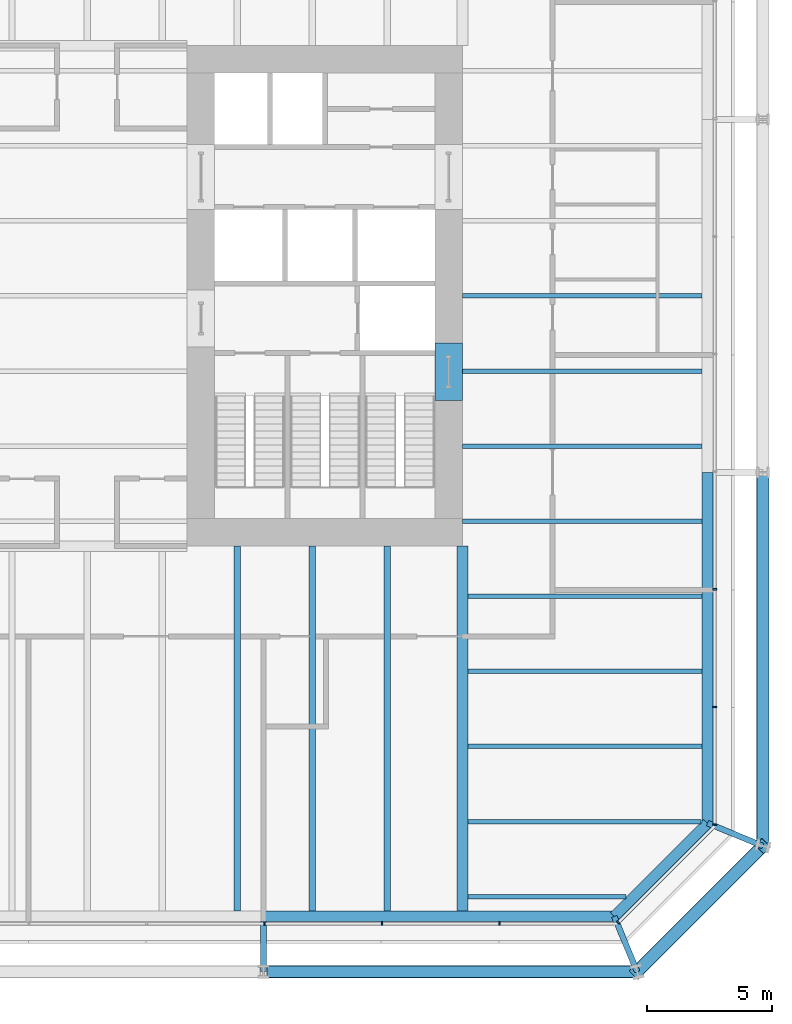
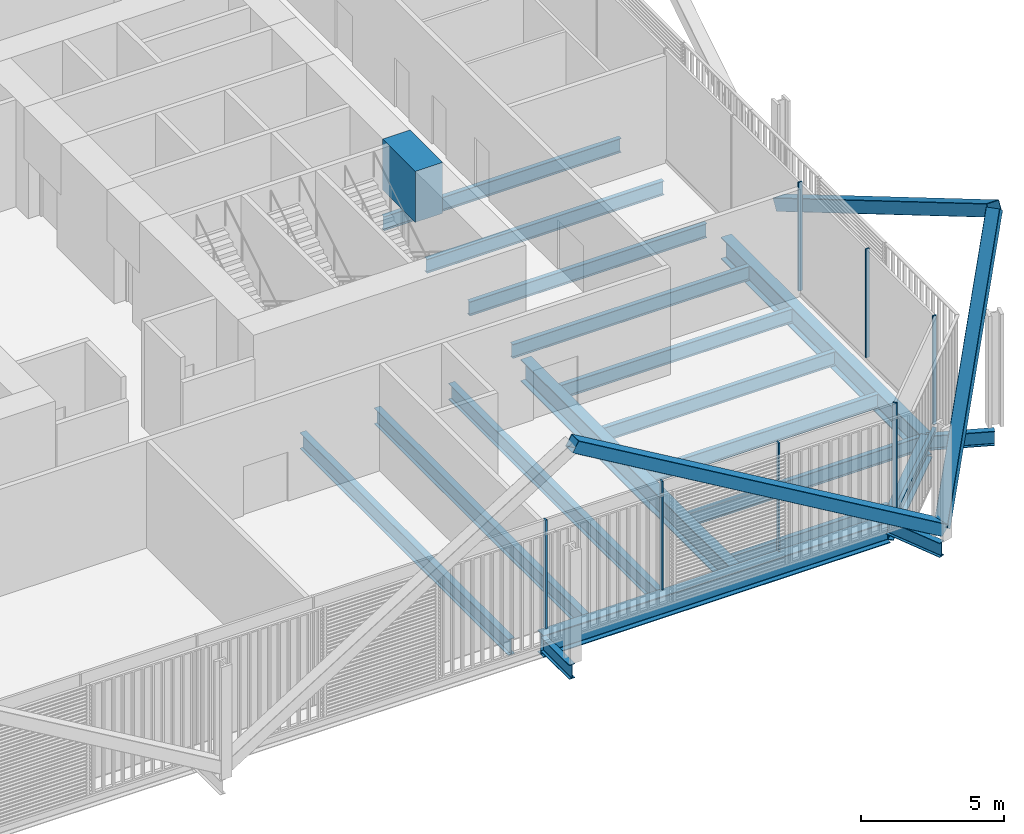
# One storey, part 8 of 22: 20 beams, 11 members, 3 elements without a shape of their own.
"""IFC4 building model written with IfcOpenShell, lengths in metres."""

import ifcopenshell
import ifcopenshell.guid

model = None  # the IFC model being written
_history = None  # IfcOwnerHistory: only IFC2X3 demands one
_inside = {}  # id of a spatial element -> (the spatial element, [elements in it])
_under = {}  # id of a project, library or spatial element -> (it, [spatial elements below it])
_declared = {}  # id of a project -> (the project, [libraries it declares])
_typed = {}  # id of a type object -> (the type object, [elements of that type])
_made_of = {}  # id of a material, layer set ... -> (it, [elements and type objects made of it])


def new_model(schema):
    """Start an empty IFC model of exactly this schema.

    Asked for "IFC4X3", IfcOpenShell would pick the latest addendum, in which some entities
    have other attributes; the version numbers below select the first issue.
    IFC2X3 requires an IfcOwnerHistory on every rooted entity: one is made here for all.
    """
    global model, _history
    if schema == "IFC4X3":
        model = ifcopenshell.file(schema_version=(4, 3, 0, 0))
    else:
        model = ifcopenshell.file(schema=schema)
    _inside.clear()
    _under.clear()
    _declared.clear()
    _typed.clear()
    _made_of.clear()
    _history = None
    if model.schema == "IFC2X3":
        org = make("IfcOrganization", Name="unknown")
        user = make(
            "IfcPersonAndOrganization",
            ThePerson=make("IfcPerson", FamilyName="unknown"),
            TheOrganization=org,
        )
        app = make(
            "IfcApplication",
            ApplicationDeveloper=org,
            Version="unknown",
            ApplicationFullName="unknown",
            ApplicationIdentifier="unknown",
        )
        _history = make(
            "IfcOwnerHistory",
            OwningUser=user,
            OwningApplication=app,
            ChangeAction="ADDED",
            CreationDate=0,
        )
    return model


def make(cls, **values):
    """One entity of the class cls with the attributes given. An attribute that is None is left unset."""
    return model.create_entity(
        cls, **{name: value for name, value in values.items() if value is not None}
    )


def rooted(cls, **values):
    """An entity with a GlobalId (a new one), such as an element, a storey or a relation."""
    return make(cls, GlobalId=ifcopenshell.guid.new(), OwnerHistory=_history, **values)


def si_unit(unit_type, name, prefix=None):
    """IfcSIUnit, for example si_unit("LENGTHUNIT", "METRE", prefix="MILLI")."""
    return make("IfcSIUnit", UnitType=unit_type, Prefix=prefix, Name=name)


def assignment(units):
    """IfcUnitAssignment: the units of a project."""
    return None if units is None else make("IfcUnitAssignment", Units=units)


def point(xyz):
    """IfcCartesianPoint."""
    return None if xyz is None else make("IfcCartesianPoint", Coordinates=xyz)


def direction(xyz):
    """IfcDirection."""
    return None if xyz is None else make("IfcDirection", DirectionRatios=xyz)


def frame(location, z_axis=None, x_axis=None):
    """IfcAxis2Placement3D, a coordinate frame: its origin and axes. An axis left out is left unset."""
    return make(
        "IfcAxis2Placement3D",
        Location=point(location),
        Axis=direction(z_axis),
        RefDirection=direction(x_axis),
    )


def frame_2d(location, x_axis=None):
    """IfcAxis2Placement2D, a coordinate frame in the plane: its origin and x axis."""
    return make(
        "IfcAxis2Placement2D", Location=point(location), RefDirection=direction(x_axis)
    )


def origin():
    """The frame at (0, 0, 0) with its axes left unset."""
    return frame((0.0, 0.0, 0.0))


def origin_2d():
    """The frame at (0, 0) in the plane with its x axis left unset."""
    return frame_2d((0.0, 0.0))


def place(relative_to, where):
    """IfcLocalPlacement: puts the frame where relative to a parent placement (None: the world)."""
    return make(
        "IfcLocalPlacement", PlacementRelTo=relative_to, RelativePlacement=where
    )


def context(
    kind, dimensions, precision=None, world=None, true_north=None, identifier=None
):
    """IfcGeometricRepresentationContext, for example the 3D "Model" context."""
    return make(
        "IfcGeometricRepresentationContext",
        ContextIdentifier=identifier,
        ContextType=kind,
        CoordinateSpaceDimension=dimensions,
        Precision=precision,
        WorldCoordinateSystem=world,
        TrueNorth=true_north,
    )


def subcontext(parent, identifier, kind, view, scale=None):
    """IfcGeometricRepresentationSubContext, for example "Body" below "Model"."""
    return make(
        "IfcGeometricRepresentationSubContext",
        ContextIdentifier=identifier,
        ContextType=kind,
        ParentContext=parent,
        TargetScale=scale,
        TargetView=view,
    )


def project(units=None, contexts=None):
    """IfcProject with its units and contexts."""
    return rooted(
        "IfcProject",
        Name="project",
        RepresentationContexts=contexts,
        UnitsInContext=assignment(units),
    )


def spatial(cls, under=None, at=None, **own):
    """A site, building, storey or space (cls), placed at a placement, below another one or the project."""
    s = rooted(cls, ObjectPlacement=at, **own)
    if under is not None:
        _under.setdefault(under.id(), (under, []))[1].append(s)
    return s


def profile(cls, at=None, kind="AREA", **sizes):
    """A parametric profile (cls). Its sizes go by their IFC names, for example OverallWidth=200.0."""
    return make(cls, ProfileType=kind, Position=at, **sizes)


def rectangle(**sizes):
    """IfcRectangleProfileDef."""
    return profile("IfcRectangleProfileDef", **sizes)


def hollow_rectangle(**sizes):
    """IfcRectangleHollowProfileDef."""
    return profile("IfcRectangleHollowProfileDef", **sizes)


def i_section(**sizes):
    """IfcIShapeProfileDef."""
    return profile("IfcIShapeProfileDef", **sizes)


def extrude(swept, where, along, depth):
    """IfcExtrudedAreaSolid: the profile swept, set in the frame where, extruded along a direction by depth."""
    return make(
        "IfcExtrudedAreaSolid",
        SweptArea=swept,
        Position=where,
        ExtrudedDirection=direction(along),
        Depth=depth,
    )


def shape(context_of_items, identifier, shape_type, items):
    """IfcShapeRepresentation: the items that make up one representation, for example the "Body"."""
    return make(
        "IfcShapeRepresentation",
        ContextOfItems=context_of_items,
        RepresentationIdentifier=identifier,
        RepresentationType=shape_type,
        Items=items,
    )


def material(Name=None, Category=None):
    """IfcMaterial."""
    return make("IfcMaterial", Name=Name, Category=Category)


def layer(
    of_material, thickness, ventilated=None, Name=None, Category=None, Priority=None
):
    """IfcMaterialLayer: one layer of a wall or slab, of a material (None: an air gap)."""
    return make(
        "IfcMaterialLayer",
        Material=of_material,
        LayerThickness=thickness,
        IsVentilated=ventilated,
        Name=Name,
        Category=Category,
        Priority=Priority,
    )


def layer_set(layers, Name=None):
    """IfcMaterialLayerSet."""
    return make("IfcMaterialLayerSet", MaterialLayers=layers, LayerSetName=Name)


def material_profile(
    of_material, cross_section, Name=None, Category=None, Priority=None
):
    """IfcMaterialProfile: a cross section and its material."""
    return make(
        "IfcMaterialProfile",
        Name=Name,
        Material=of_material,
        Profile=cross_section,
        Priority=Priority,
        Category=Category,
    )


def profile_set(profiles, Name=None, composite=None):
    """IfcMaterialProfileSet."""
    return make(
        "IfcMaterialProfileSet",
        Name=Name,
        MaterialProfiles=profiles,
        CompositeProfile=composite,
    )


def made_of(thing, what):
    """Note that an element or type object is made of a material, layer set ...; save() writes the relation."""
    if what is not None:
        _made_of.setdefault(what.id(), (what, []))[1].append(thing)
    return thing


def type_object(cls, material=None, **own):
    """A type object (cls), such as IfcWallType, which elements share."""
    return made_of(rooted(cls, **own), material)


def element(
    cls,
    number,
    at=None,
    inside=None,
    cuts=None,
    type_object=None,
    material=None,
    context=None,
    identifier="Body",
    shape_type=None,
    held_by="IfcProductDefinitionShape",
    body=None,
    shapes=None,
    **own,
):
    """One element of the class cls, such as IfcWall. Its Tag is "e" and its number.

    at: its placement. inside: the storey or other place that contains it. cuts: it is an
    opening in that element (IfcRelVoidsElement). A single representation is given by context,
    identifier, shape_type and body (its items); several are given by shapes. held_by: the class
    of the entity that holds the representations. save() writes the other relations.
    """
    e = rooted(cls, Tag="e%d" % number, ObjectPlacement=at, **own)
    if body is not None:
        shapes = [shape(context, identifier, shape_type, body)]
    if shapes is not None:
        e.Representation = make(held_by, Representations=shapes)
    if inside is not None:
        _inside.setdefault(inside.id(), (inside, []))[1].append(e)
    if cuts is not None:
        rooted(
            "IfcRelVoidsElement", RelatingBuildingElement=cuts, RelatedOpeningElement=e
        )
    if type_object is not None:
        _typed.setdefault(type_object.id(), (type_object, []))[1].append(e)
    return made_of(e, material)


def aggregate(whole, parts):
    """IfcRelAggregates: a whole, such as a stair, and the parts it consists of."""
    return rooted("IfcRelAggregates", RelatingObject=whole, RelatedObjects=parts)


def save(model, path):
    """Write the relations noted so far, then the file.

    IfcRelAggregates (storeys below a building ...), IfcRelContainedInSpatialStructure (elements
    in a storey), IfcRelDefinesByType, IfcRelAssociatesMaterial and IfcRelDeclares: one each for
    every whole, place, type object, material and project.
    """
    for whole, parts in _under.values():
        aggregate(whole, parts)
    for where, things in _inside.values():
        rooted(
            "IfcRelContainedInSpatialStructure",
            RelatedElements=things,
            RelatingStructure=where,
        )
    for kind, things in _typed.values():
        rooted("IfcRelDefinesByType", RelatedObjects=things, RelatingType=kind)
    for what, things in _made_of.values():
        rooted("IfcRelAssociatesMaterial", RelatedObjects=things, RelatingMaterial=what)
    for by, libraries in _declared.values():
        rooted("IfcRelDeclares", RelatingContext=by, RelatedDefinitions=libraries)
    model.write(path)


model = new_model("IFC4")

# Units and contexts
model_context = context("Model", 3, precision=1e-05, world=origin(), true_north=direction((0.0, 1.0)))
body_context = subcontext(model_context, "Body", "Model", "MODEL_VIEW")
ifc_project = project(units=[si_unit("LENGTHUNIT", "METRE"), si_unit("AREAUNIT", "SQUARE_METRE"), si_unit("VOLUMEUNIT", "CUBIC_METRE"), si_unit("PLANEANGLEUNIT", "RADIAN"), si_unit("MASSUNIT", "GRAM", prefix="KILO")], contexts=[model_context])

# Site, building, storey
site_placement = place(None, origin())
site = spatial("IfcSite", under=ifc_project, at=site_placement, CompositionType="ELEMENT")
building_placement = place(site_placement, origin())
building = spatial("IfcBuilding", under=site, at=building_placement, Name="Millrace Tower", CompositionType="ELEMENT")
storey_placement = place(building_placement, frame((0.0, 0.0, 35.300048828125)))
storey = spatial("IfcBuildingStorey", under=building, at=storey_placement, Name="L08", CompositionType="ELEMENT", Elevation=35.300048828125)

# Curtain wall, members
ifc_material_1 = material(Name="Aluminium and glass", Category="aluminium")
ifc_layer = layer(ifc_material_1, 0.14990234375)
ifc_layer_set = layer_set([ifc_layer], Name="Aluminium and glass")
curtain_wall_type = type_object("IfcCurtainWallType", Name="CW-2 data hall insulated curtain wall", PredefinedType="NOTDEFINED", material=ifc_layer_set)
placement = place(storey_placement, origin())
curtain_wall_1 = element("IfcCurtainWall", 1, at=placement, inside=storey, type_object=curtain_wall_type, Name="Curtain wall A-F02 L08", PredefinedType="NOTDEFINED")
ifc_material_2 = material(Name="Aluminium", Category="aluminium")
ifc_material_profile_1 = material_profile(ifc_material_2, rectangle(XDim=0.06494140625, YDim=0.14990234375, at=origin_2d()))
ifc_profile_set_1 = profile_set([ifc_material_profile_1], Name="Aluminium")
member_type_1 = type_object("IfcMemberType", Name="CW-2 data hall insulated curtain wall mullion", PredefinedType="MULLION", material=ifc_profile_set_1)
member_1_placement = place(storey_placement, frame((7.08251953125, -25.074951171875, 0.159912109375), z_axis=(0.0, 0.0, 1.0), x_axis=(1.0, 0.0, 0.0)))
member_1 = element("IfcMember", 2, at=member_1_placement, type_object=member_type_1, Name="CW2 mullion A-F02.7", PredefinedType="MULLION", context=body_context, shape_type="SweptSolid", body=[
    extrude(rectangle(XDim=0.06494140625, YDim=0.14990234375, at=origin_2d()), origin(), (0.0, 0.0, 1.0), 4.64013671875),
])
member_2_placement = place(storey_placement, frame((11.782470703125, -25.074951171875, 0.159912109375), z_axis=(0.0, 0.0, 1.0), x_axis=(1.0, 0.0, 0.0)))
member_2 = element("IfcMember", 3, at=member_2_placement, type_object=member_type_1, Name="CW2 mullion A-F02.8", PredefinedType="MULLION", context=body_context, shape_type="SweptSolid", body=[
    extrude(rectangle(XDim=0.06494140625, YDim=0.14990234375, at=origin_2d()), origin(), (0.0, 0.0, 1.0), 4.64013671875),
])
member_3_placement = place(storey_placement, frame((16.482421875, -25.074951171875, 0.159912109375), z_axis=(0.0, 0.0, 1.0), x_axis=(1.0, 0.0, 0.0)))
member_3 = element("IfcMember", 4, at=member_3_placement, type_object=member_type_1, Name="CW2 mullion A-F02.9", PredefinedType="MULLION", context=body_context, shape_type="SweptSolid", body=[
    extrude(rectangle(XDim=0.06494140625, YDim=0.14990234375, at=origin_2d()), origin(), (0.0, 0.0, 1.0), 4.64013671875),
])
aggregate(curtain_wall_1, [member_1, member_2, member_3])

# Curtain wall, member
curtain_wall_2 = element("IfcCurtainWall", 5, at=placement, inside=storey, type_object=curtain_wall_type, Name="Curtain wall A-F03 L08", PredefinedType="NOTDEFINED")
member_4_placement = place(storey_placement, frame((21.22607421875, -25.030029296875, 0.159912109375), z_axis=(0.0, 0.0, 1.0), x_axis=(0.707106781187, 0.707106781187, 0.0)))
member_4 = element("IfcMember", 6, at=member_4_placement, type_object=member_type_1, Name="CW2 mullion A-F03.1", PredefinedType="MULLION", context=body_context, shape_type="SweptSolid", body=[
    extrude(rectangle(XDim=0.06494140625, YDim=0.14990234375, at=origin_2d()), origin(), (0.0, 0.0, 1.0), 4.64013671875),
])

# Curtain wall, members
curtain_wall_3 = element("IfcCurtainWall", 7, at=placement, inside=storey, type_object=curtain_wall_type, Name="Curtain wall A-F04 L08", PredefinedType="NOTDEFINED")
member_5_placement = place(storey_placement, frame((25.074951171875, -21.117431640625, 0.159912109375), z_axis=(0.0, 0.0, 1.0), x_axis=(0.0, 1.0, 0.0)))
member_5 = element("IfcMember", 8, at=member_5_placement, type_object=member_type_1, Name="CW2 mullion A-F04.1", PredefinedType="MULLION", context=body_context, shape_type="SweptSolid", body=[
    extrude(rectangle(XDim=0.06494140625, YDim=0.14990234375, at=origin_2d()), origin(), (0.0, 0.0, 1.0), 4.64013671875),
])
member_6_placement = place(storey_placement, frame((25.074951171875, -16.41748046875, 0.159912109375), z_axis=(0.0, 0.0, 1.0), x_axis=(0.0, 1.0, 0.0)))
member_6 = element("IfcMember", 9, at=member_6_placement, type_object=member_type_1, Name="CW2 mullion A-F04.2", PredefinedType="MULLION", context=body_context, shape_type="SweptSolid", body=[
    extrude(rectangle(XDim=0.06494140625, YDim=0.14990234375, at=origin_2d()), origin(), (0.0, 0.0, 1.0), 4.64013671875),
])
member_7_placement = place(storey_placement, frame((25.074951171875, -11.717529296875, 0.159912109375), z_axis=(0.0, 0.0, 1.0), x_axis=(0.0, 1.0, 0.0)))
member_7 = element("IfcMember", 10, at=member_7_placement, type_object=member_type_1, Name="CW2 mullion A-F04.3", PredefinedType="MULLION", context=body_context, shape_type="SweptSolid", body=[
    extrude(rectangle(XDim=0.06494140625, YDim=0.14990234375, at=origin_2d()), origin(), (0.0, 0.0, 1.0), 4.64013671875),
])
aggregate(curtain_wall_3, [member_5, member_6, member_7])

# Member
ifc_material_3 = material(Name="Aluminium", Category="aluminium")
ifc_material_profile_2 = material_profile(ifc_material_3, rectangle(XDim=0.14990234375, YDim=0.159912109375, at=origin_2d()))
ifc_profile_set_2 = profile_set([ifc_material_profile_2], Name="Aluminium")
member_type_2 = type_object("IfcMemberType", Name="CW-2 data hall insulated curtain wall transom", PredefinedType="USERDEFINED", material=ifc_profile_set_2)
member_8_placement = place(storey_placement, frame((21.273681640625, -24.982421875, 0.079833984375), z_axis=(0.707106781187, 0.707106781187, 0.0), x_axis=(-0.707106781187, 0.707106781187, 0.0)))
member_8 = element("IfcMember", 11, at=member_8_placement, type_object=member_type_2, Name="CW2 transom A-F03.1", ObjectType="TRANSOM", PredefinedType="USERDEFINED", context=body_context, shape_type="SweptSolid", body=[
    extrude(rectangle(XDim=0.14990234375, YDim=0.159912109375, at=origin_2d()), origin(), (0.0, 0.0, 1.0), 5.244873046875),
])

aggregate(curtain_wall_2, [member_4, member_8])

# Beam
ifc_material_4 = material(Name="Concrete C80", Category="concrete")
ifc_material_profile_3 = material_profile(ifc_material_4, rectangle(XDim=1.10009765625, YDim=2.175048828125, at=origin_2d()))
ifc_profile_set_3 = profile_set([ifc_material_profile_3], Name="Concrete C80")
beam_type_1 = type_object("IfcBeamType", Name="Coupling beam 1100 x 2175 Concrete C80, 1300 opening", PredefinedType="BEAM", material=ifc_profile_set_3)
beam_1_placement = place(storey_placement, frame((14.449951171875, -1.88818359375, 3.487548828125), z_axis=(0.0, -1.0, 0.0), x_axis=(1.0, 0.0, 0.0)))
element("IfcBeam", 12, at=beam_1_placement, inside=storey, type_object=beam_type_1, Name="Coupling beam E L08", PredefinedType="BEAM", context=body_context, shape_type="SweptSolid", body=[
    extrude(rectangle(XDim=1.10009765625, YDim=2.175048828125, at=origin_2d()), origin(), (0.0, 0.0, 1.0), 2.28369140625),
])

# Members
ifc_material_5 = material(Name="Steel ASTM A500 Grade C", Category="steel")
ifc_material_profile_4 = material_profile(ifc_material_5, hollow_rectangle(XDim=0.508056640625, YDim=0.508056640625, WallThickness=0.01904296875, InnerFilletRadius=0.009521484375, OuterFilletRadius=0.028564453125, at=origin_2d()))
ifc_profile_set_4 = profile_set([ifc_material_profile_4], Name="Steel ASTM A500 Grade C")
member_type_3 = type_object("IfcMemberType", Name="Exoskeleton brace HSS20x20x3/4", PredefinedType="BRACE", material=ifc_profile_set_4)
member_9_placement = place(storey_placement, frame((21.978515625, -27.0, 0.39990234375), z_axis=(-0.861464835883, 0.0, 0.507817227491), x_axis=(0.0, -1.0, 0.0)))
element("IfcMember", 13, at=member_9_placement, inside=storey, type_object=member_type_3, Name="BRC-A-L08-04", PredefinedType="BRACE", context=body_context, shape_type="SweptSolid", body=[
    extrude(hollow_rectangle(XDim=0.508056640625, YDim=0.508056640625, WallThickness=0.01904296875, InnerFilletRadius=0.009521484375, OuterFilletRadius=0.028564453125, at=origin_2d()), origin(), (0.0, 0.0, 1.0), 17.3291015625),
])
member_10_placement = place(storey_placement, frame((21.978515625, -27.0, 0.39990234375), z_axis=(0.444063713793, 0.444063713793, 0.77821259061), x_axis=(-0.707106781187, 0.707106781187, 0.0)))
element("IfcMember", 14, at=member_10_placement, inside=storey, type_object=member_type_3, Name="BRC-A-L08-05", PredefinedType="BRACE", context=body_context, shape_type="SweptSolid", body=[
    extrude(hollow_rectangle(XDim=0.508056640625, YDim=0.508056640625, WallThickness=0.01904296875, InnerFilletRadius=0.009521484375, OuterFilletRadius=0.028564453125, at=origin_2d()), origin(), (0.0, 0.0, 1.0), 11.30810546875),
])
member_11_placement = place(storey_placement, frame((27.0, -7.050048828125, 0.39990234375), z_axis=(0.0, -0.861464835883, 0.507817227491), x_axis=(1.0, 0.0, 0.0)))
element("IfcMember", 15, at=member_11_placement, inside=storey, type_object=member_type_3, Name="BRC-A-L08-06", PredefinedType="BRACE", context=body_context, shape_type="SweptSolid", body=[
    extrude(hollow_rectangle(XDim=0.508056640625, YDim=0.508056640625, WallThickness=0.01904296875, InnerFilletRadius=0.009521484375, OuterFilletRadius=0.028564453125, at=origin_2d()), origin(), (0.0, 0.0, 1.0), 17.3291015625),
])

# Beams
ifc_material_6 = material(Name="Steel ASTM A992 Grade 50", Category="steel")
ifc_material_profile_5 = material_profile(ifc_material_6, i_section(OverallWidth=0.177978515625, OverallDepth=0.599365234375, WebThickness=0.010009765625, FlangeThickness=0.012939453125, FilletRadius=0.012939453125, at=origin_2d()))
ifc_profile_set_5 = profile_set([ifc_material_profile_5], Name="Steel ASTM A992 Grade 50")
beam_type_2 = type_object("IfcBeamType", Name="Floor beam W24x55", PredefinedType="JOIST", material=ifc_profile_set_5)
beam_2_placement = place(storey_placement, frame((15.212158203125, -24.0, -0.524658203125), z_axis=(1.0, 0.0, 0.0), x_axis=(0.0, 1.0, 0.0)))
element("IfcBeam", 16, at=beam_2_placement, inside=storey, type_object=beam_type_2, Name="BM-A-L08-S1-S002", PredefinedType="JOIST", context=body_context, shape_type="SweptSolid", body=[
    extrude(i_section(OverallWidth=0.177978515625, OverallDepth=0.599365234375, WebThickness=0.010009765625, FlangeThickness=0.012939453125, FilletRadius=0.012939453125, at=origin_2d()), origin(), (0.0, 0.0, 1.0), 6.317626953125),
])
ifc_material_7 = material(Name="Steel ASTM A992 Grade 50", Category="steel")
ifc_material_profile_6 = material_profile(ifc_material_7, i_section(OverallWidth=0.1787109375, OverallDepth=0.60205078125, WebThickness=0.010986328125, FlangeThickness=0.014892578125, FilletRadius=0.0126953125, at=origin_2d()))
ifc_profile_set_6 = profile_set([ifc_material_profile_6], Name="Steel ASTM A992 Grade 50")
beam_type_3 = type_object("IfcBeamType", Name="Floor beam W24x62", PredefinedType="JOIST", material=ifc_profile_set_6)
for number, where, z_axis, x_axis, name in (
    (17, (15.212158203125, -18.0, -0.526123046875), (1.0, 0.0, 0.0), (0.0, 1.0, 0.0), "BM-A-L08-S1-S006"),
    (18, (15.212158203125, -15.0, -0.526123046875), (1.0, 0.0, 0.0), (0.0, 1.0, 0.0), "BM-A-L08-S1-S008"),
    (19, (15.212158203125, -12.0, -0.526123046875), (1.0, 0.0, 0.0), (0.0, 1.0, 0.0), "BM-A-L08-S1-S010"),
):
    element("IfcBeam", number, at=place(storey_placement, frame(where, z_axis=z_axis, x_axis=x_axis)), inside=storey, type_object=beam_type_3, Name=name, PredefinedType="JOIST", context=body_context, shape_type="SweptSolid", body=[
        extrude(i_section(OverallWidth=0.1787109375, OverallDepth=0.60205078125, WebThickness=0.010986328125, FlangeThickness=0.014892578125, FilletRadius=0.0126953125, at=origin_2d()), origin(), (0.0, 0.0, 1.0), 9.3662109375),
    ])
for number, where, z_axis, x_axis, name in (
    (20, (15.0, -9.0, -0.526123046875), (1.0, 0.0, 0.0), (0.0, 1.0, 0.0), "BM-A-L08-S1-S013"),
    (21, (15.0, -6.0, -0.526123046875), (1.0, 0.0, 0.0), (0.0, 1.0, 0.0), "BM-A-L08-S1-S016"),
    (22, (15.0, -3.0, -0.526123046875), (1.0, 0.0, 0.0), (0.0, 1.0, 0.0), "BM-A-L08-S1-S019"),
    (23, (15.0, 0.0, -0.526123046875), (1.0, 0.0, 0.0), (0.0, 1.0, 0.0), "BM-A-L08-S1-S022"),
):
    element("IfcBeam", number, at=place(storey_placement, frame(where, z_axis=z_axis, x_axis=x_axis)), inside=storey, type_object=beam_type_3, Name=name, PredefinedType="JOIST", context=body_context, shape_type="SweptSolid", body=[
        extrude(i_section(OverallWidth=0.1787109375, OverallDepth=0.60205078125, WebThickness=0.010986328125, FlangeThickness=0.014892578125, FilletRadius=0.0126953125, at=origin_2d()), origin(), (0.0, 0.0, 1.0), 9.578369140625),
    ])
beam_3_placement = place(storey_placement, frame((15.212158203125, -21.0, -0.526123046875), z_axis=(1.0, 0.0, 0.0), x_axis=(0.0, 1.0, 0.0)))
element("IfcBeam", 24, at=beam_3_placement, inside=storey, type_object=beam_type_3, Name="BM-A-L08-S1-S004", PredefinedType="JOIST", context=body_context, shape_type="SweptSolid", body=[
    extrude(i_section(OverallWidth=0.1787109375, OverallDepth=0.60205078125, WebThickness=0.010986328125, FlangeThickness=0.014892578125, FilletRadius=0.0126953125, at=origin_2d()), origin(), (0.0, 0.0, 1.0), 9.317626953125),
])
ifc_material_8 = material(Name="Steel ASTM A992 Grade 50", Category="steel")
ifc_material_profile_7 = material_profile(ifc_material_8, i_section(OverallWidth=0.256591796875, OverallDepth=0.693359375, WebThickness=0.014404296875, FlangeThickness=0.023681640625, FilletRadius=0.01513671875, at=origin_2d()))
ifc_profile_set_7 = profile_set([ifc_material_profile_7], Name="Steel ASTM A992 Grade 50")
beam_type_4 = type_object("IfcBeamType", Name="Floor beam W27x114", PredefinedType="JOIST", material=ifc_profile_set_7)
for number, where, z_axis, x_axis, name in (
    (25, (6.0, -24.578369140625, -0.57177734375), (0.0, 1.0, 0.0), (-1.0, 0.0, 0.0), "BM-A-L08-S1-S055"),
    (26, (9.0, -24.578369140625, -0.57177734375), (0.0, 1.0, 0.0), (-1.0, 0.0, 0.0), "BM-A-L08-S1-S057"),
    (27, (12.0, -24.578369140625, -0.57177734375), (0.0, 1.0, 0.0), (-1.0, 0.0, 0.0), "BM-A-L08-S1-S059"),
):
    element("IfcBeam", number, at=place(storey_placement, frame(where, z_axis=z_axis, x_axis=x_axis)), inside=storey, type_object=beam_type_4, Name=name, PredefinedType="JOIST", context=body_context, shape_type="SweptSolid", body=[
        extrude(i_section(OverallWidth=0.256591796875, OverallDepth=0.693359375, WebThickness=0.014404296875, FlangeThickness=0.023681640625, FilletRadius=0.01513671875, at=origin_2d()), origin(), (0.0, 0.0, 1.0), 14.578369140625),
    ])
ifc_material_9 = material(Name="Steel ASTM A992 Grade 50", Category="steel")
ifc_material_profile_8 = material_profile(ifc_material_9, i_section(OverallWidth=0.424072265625, OverallDepth=0.947509765625, WebThickness=0.02392578125, FlangeThickness=0.042724609375, FilletRadius=0.024169921875, at=origin_2d()))
ifc_profile_set_8 = profile_set([ifc_material_profile_8], Name="Steel ASTM A992 Grade 50")
beam_type_5 = type_object("IfcBeamType", Name="Girder medium span W36x302", PredefinedType="BEAM", material=ifc_profile_set_8)
beam_4_placement = place(storey_placement, frame((15.0, -24.578369140625, -0.69873046875), z_axis=(0.0, 1.0, 0.0), x_axis=(-1.0, 0.0, 0.0)))
element("IfcBeam", 28, at=beam_4_placement, inside=storey, type_object=beam_type_5, Name="BM-A-L08-S1-G063", PredefinedType="BEAM", context=body_context, shape_type="SweptSolid", body=[
    extrude(i_section(OverallWidth=0.424072265625, OverallDepth=0.947509765625, WebThickness=0.02392578125, FlangeThickness=0.042724609375, FilletRadius=0.024169921875, at=origin_2d()), origin(), (0.0, 0.0, 1.0), 14.578369140625),
])
ifc_material_10 = material(Name="Steel ASTM A992 Grade 50", Category="steel")
ifc_material_profile_9 = material_profile(ifc_material_10, i_section(OverallWidth=0.23046875, OverallDepth=0.6171875, WebThickness=0.01318359375, FlangeThickness=0.022216796875, FilletRadius=0.012939453125, at=origin_2d()))
ifc_profile_set_9 = profile_set([ifc_material_profile_9], Name="Steel ASTM A992 Grade 50")
beam_type_6 = type_object("IfcBeamType", Name="Link beam W24x94", PredefinedType="BEAM", material=ifc_profile_set_9)
for number, where, z_axis, x_axis, name in (
    (29, (24.7890625, -21.062744140625, -0.53369140625), (0.923883789366, -0.382673155247, 0.0), (0.382673155247, 0.923883789366, 0.0), "LNK-A-L08-S1-12"),
    (30, (21.062744140625, -24.7890625, -0.53369140625), (0.382673155247, -0.923883789366, 0.0), (0.923883789366, 0.382673155247, 0.0), "LNK-A-L08-S1-13"),
):
    element("IfcBeam", number, at=place(storey_placement, frame(where, z_axis=z_axis, x_axis=x_axis)), inside=storey, type_object=beam_type_6, Name=name, PredefinedType="BEAM", context=body_context, shape_type="SweptSolid", body=[
        extrude(i_section(OverallWidth=0.23046875, OverallDepth=0.6171875, WebThickness=0.01318359375, FlangeThickness=0.022216796875, FilletRadius=0.012939453125, at=origin_2d()), origin(), (0.0, 0.0, 1.0), 2.39306640625),
    ])
beam_5_placement = place(storey_placement, frame((7.050048828125, -25.0, -0.53369140625), z_axis=(0.0, -1.0, 0.0), x_axis=(1.0, 0.0, 0.0)))
element("IfcBeam", 31, at=beam_5_placement, inside=storey, type_object=beam_type_6, Name="LNK-A-L08-S1-14", PredefinedType="BEAM", context=body_context, shape_type="SweptSolid", body=[
    extrude(i_section(OverallWidth=0.23046875, OverallDepth=0.6171875, WebThickness=0.01318359375, FlangeThickness=0.022216796875, FilletRadius=0.012939453125, at=origin_2d()), origin(), (0.0, 0.0, 1.0), 2.0),
])
ifc_material_11 = material(Name="Steel ASTM A992 Grade 50", Category="steel")
ifc_material_profile_10 = material_profile(ifc_material_11, i_section(OverallWidth=0.421630859375, OverallDepth=0.937255859375, WebThickness=0.021240234375, FlangeThickness=0.03662109375, FilletRadius=0.024169921875, at=origin_2d()))
ifc_profile_set_10 = profile_set([ifc_material_profile_10], Name="Steel ASTM A992 Grade 50")
beam_type_7 = type_object("IfcBeamType", Name="Ring beam medium span W36x262", PredefinedType="SPANDREL", material=ifc_profile_set_10)
for number, where, z_axis, x_axis, name in (
    (32, (24.7890625, -7.050048828125, -0.693603515625), (0.0, -1.0, 0.0), (1.0, 0.0, 0.0), "RNG-A-L08-S1-11"),
    (33, (21.062744140625, -24.7890625, -0.693603515625), (-1.0, 0.0, 0.0), (0.0, -1.0, 0.0), "RNG-A-L08-S1-13"),
):
    element("IfcBeam", number, at=place(storey_placement, frame(where, z_axis=z_axis, x_axis=x_axis)), inside=storey, type_object=beam_type_7, Name=name, PredefinedType="SPANDREL", context=body_context, shape_type="SweptSolid", body=[
        extrude(i_section(OverallWidth=0.421630859375, OverallDepth=0.937255859375, WebThickness=0.021240234375, FlangeThickness=0.03662109375, FilletRadius=0.024169921875, at=origin_2d()), origin(), (0.0, 0.0, 1.0), 14.0126953125),
    ])
ifc_material_12 = material(Name="Steel ASTM A992 Grade 50", Category="steel")
ifc_material_profile_11 = material_profile(ifc_material_12, i_section(OverallWidth=0.421630859375, OverallDepth=0.937255859375, WebThickness=0.021240234375, FlangeThickness=0.03662109375, FilletRadius=0.024169921875, at=origin_2d()))
ifc_profile_set_11 = profile_set([ifc_material_profile_11], Name="Steel ASTM A992 Grade 50")
beam_type_8 = type_object("IfcBeamType", Name="Ring beam short span W36x262", PredefinedType="SPANDREL", material=ifc_profile_set_11)
beam_6_placement = place(storey_placement, frame((24.7890625, -21.062744140625, -0.693603515625), z_axis=(-0.707106781187, -0.707106781187, 0.0), x_axis=(0.707106781187, -0.707106781187, 0.0)))
element("IfcBeam", 34, at=beam_6_placement, inside=storey, type_object=beam_type_8, Name="RNG-A-L08-S1-12", PredefinedType="SPANDREL", context=body_context, shape_type="SweptSolid", body=[
    extrude(i_section(OverallWidth=0.421630859375, OverallDepth=0.937255859375, WebThickness=0.021240234375, FlangeThickness=0.03662109375, FilletRadius=0.024169921875, at=origin_2d()), origin(), (0.0, 0.0, 1.0), 5.269775390625),
])

save(model, "model.ifc")
